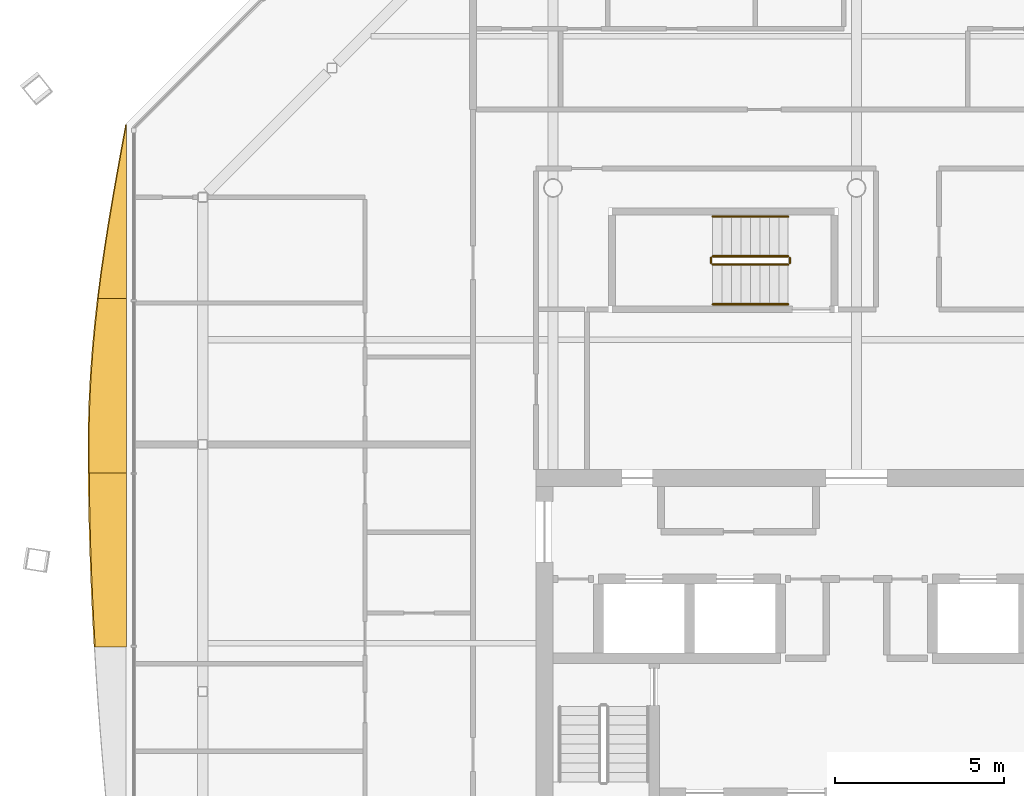
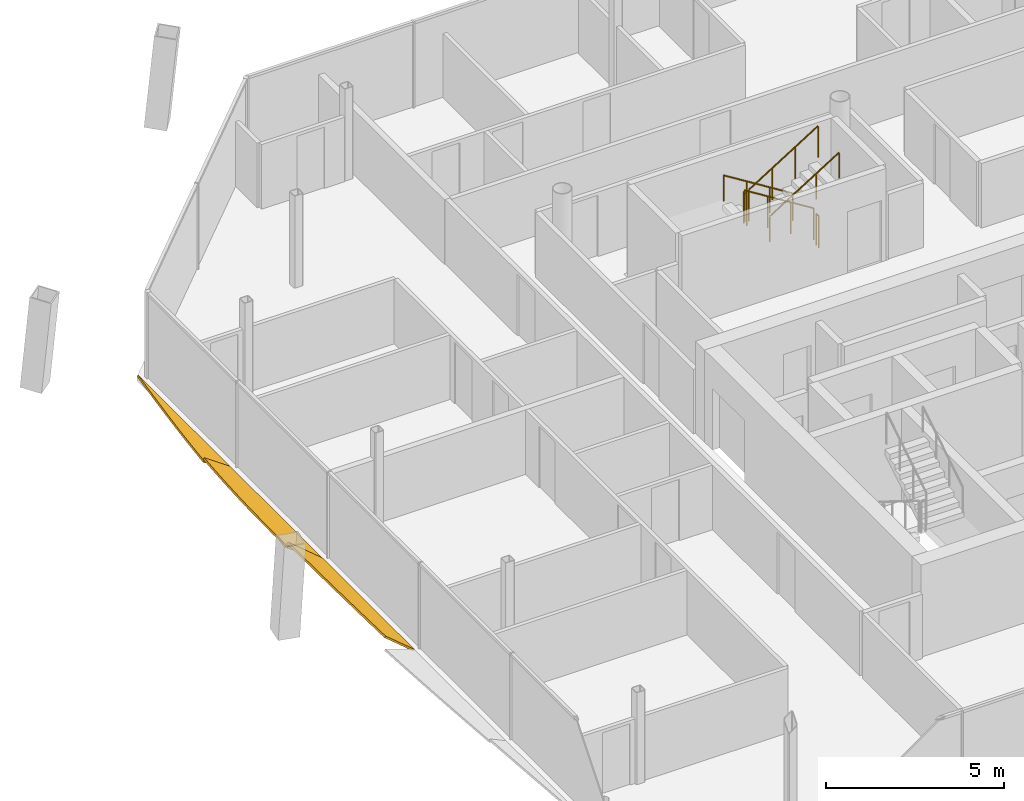
# One storey, part 16 of 17: 6 railings, 3 shading devices.
"""IFC4 building model written with IfcOpenShell, lengths in metres."""

from ifc_helpers import new_model, si_unit, direction, frame, origin, origin_2d, place, context, subcontext, project, spatial, polyline, circle, outline, extrude, material, layer, layer_set, type_object, element, save


model = new_model("IFC4")

# Units and contexts
model_context = context("Model", 3, precision=1e-05, world=origin(), true_north=direction((0.0, 1.0)))
body_context = subcontext(model_context, "Body", "Model", "MODEL_VIEW")
ifc_project = project(units=[si_unit("LENGTHUNIT", "METRE"), si_unit("AREAUNIT", "SQUARE_METRE"), si_unit("VOLUMEUNIT", "CUBIC_METRE"), si_unit("PLANEANGLEUNIT", "RADIAN"), si_unit("MASSUNIT", "GRAM", prefix="KILO")], contexts=[model_context])

# Site, building, storey
site_placement = place(None, origin())
site = spatial("IfcSite", under=ifc_project, at=site_placement, CompositionType="ELEMENT")
building_placement = place(site_placement, origin())
building = spatial("IfcBuilding", under=site, at=building_placement, Name="Tskaro Facet Tower", CompositionType="ELEMENT")
storey_placement = place(building_placement, frame((0.0, 0.0, 229.800048828125)))
storey = spatial("IfcBuildingStorey", under=building, at=storey_placement, Name="L59", CompositionType="ELEMENT", Elevation=229.800048828125)

# Shading devices
ifc_material_1 = material(Name="Bronze anodised aluminium 6063-T6", Category="aluminium")
ifc_layer = layer(ifc_material_1, 0.06005859375, Name="Bronze anodised aluminium 6063-T6")
ifc_layer_set = layer_set([ifc_layer], Name="Bronze anodised aluminium 6063-T6")
shading_device_type = type_object("IfcShadingDeviceType", Name="Bronze sun blade (FN1)", PredefinedType="USERDEFINED", material=ifc_layer_set)
shading_device_1_placement = place(storey_placement, frame((-21.656982421875, 10.883056640625, 0.052001953125), z_axis=(0.499822041707, 4.7625278e-05, 0.866128122367), x_axis=(2.3804164e-05, -0.999999998866, 4.1249593e-05)))
element("IfcShadingDevice", 1, at=shading_device_1_placement, inside=storey, type_object=shading_device_type, Name="Fin blade west 1", ObjectType="FIN", PredefinedType="USERDEFINED", context=body_context, shape_type="SweptSolid", body=[
    extrude(outline(polyline([(0.0, 0.0), (5.16625975976603, 0.0), (5.166259771505608, -0.9686677645753756), (4.428222653498832, -0.8586214389747271), (3.6901855452448746, -0.736008873967931), (2.9521484320157603, -0.6023428656547543), (2.2141113234840506, -0.45971374779369695), (1.476074213440044, -0.31030128433883464), (0.73803710574474, -0.15640726611003208), (0.0, 0.0)])), origin(), (0.0, 0.0, -1.0), 0.06005859375),
])
shading_device_2_placement = place(storey_placement, frame((-21.652587890625, 5.716796875, 0.049072265625), z_axis=(0.573581758182, -1.3092351e-05, 0.819148317772), x_axis=(-7.509533e-06, -0.999999999914, -1.0724577e-05)))
element("IfcShadingDevice", 2, at=shading_device_2_placement, inside=storey, type_object=shading_device_type, Name="Fin blade west 2", ObjectType="FIN", PredefinedType="USERDEFINED", context=body_context, shape_type="SweptSolid", body=[
    extrude(outline(polyline([(0.0, 0.0), (5.166259765182227, 0.0), (5.16625976645804, -1.354532778146098), (4.428222656630595, -1.3587329475875307), (4.33959960976319, -1.3587329475875307), (3.6901855467803992, -1.3510126526871231), (2.952148437153929, -1.3233115765532384), (2.2141113295845645, -1.275829706568162), (1.4760742172658512, -1.2095271559322387), (0.7380371075313179, -1.1252038741746115), (-1.4042136192637055e-10, -1.0240799146512531), (0.0, 0.0)])), origin(), (0.0, 0.0, -1.0), 0.06005859375),
])
shading_device_3_placement = place(storey_placement, frame((-21.6484375, 0.550537109375, 0.0458984375), z_axis=(0.642781152584, 1.2769048e-05, 0.766049861118), x_axis=(8.207703e-06, -0.999999999918, 9.781727e-06)))
element("IfcShadingDevice", 3, at=shading_device_3_placement, inside=storey, type_object=shading_device_type, Name="Fin blade west 3", ObjectType="FIN", PredefinedType="USERDEFINED", context=body_context, shape_type="SweptSolid", body=[
    extrude(outline(polyline([(0.0, 0.0), (5.166015624578844, -8.751570880811033e-21), (5.1660156246173115, -1.2180765932467519), (4.428222655623596, -1.2712796421203656), (3.690185547487422, -1.3178873963944628), (2.952148436441817, -1.3579299509685907), (2.214111328882567, -1.3911901870513121), (1.476074218029603, -1.4175412705498311), (0.7380371098944272, -1.4364221297884783), (-1.5344618877484152e-09, -1.4483938364429232), (0.0, 0.0)])), origin(), (0.0, 0.0, -1.0), 0.06005859375),
])

# Railings
ifc_material_2 = material(Name="Stainless steel", Category="steel")
railing_type_1 = type_object("IfcRailingType", Name="RL-GUARD-1100", PredefinedType="GUARDRAIL", material=ifc_material_2)
railing_1_placement = place(storey_placement, frame((-2.02490234375, 6.97509765625, 0.175048828125)))
element("IfcRailing", 4, at=railing_1_placement, inside=storey, type_object=railing_type_1, Name="L59 ST-3 stair guard 1", PredefinedType="GUARDRAIL", context=body_context, shape_type="SweptSolid", body=[
    extrude(circle(Radius=0.02392578125, at=origin_2d()), frame((0.0, 0.0, 1.076171875), z_axis=(-0.848013881152, 0.0, 0.529974015752), x_axis=(0.0, -1.0, 0.0)), (0.0, 0.0, 1.0), 2.641357421875),
    extrude(circle(Radius=0.02099609375, at=origin_2d()), origin(), (0.0, 0.0, 1.0), 1.052001953125),
    extrude(circle(Radius=0.02099609375, at=origin_2d()), frame((-0.74658203125, 0.0, 0.466552734375)), (0.0, 0.0, 1.0), 1.052001953125),
    extrude(circle(Radius=0.02099609375, at=origin_2d()), frame((-1.493408203125, 0.0, 0.933349609375)), (0.0, 0.0, 1.0), 1.052001953125),
    extrude(circle(Radius=0.02099609375, at=origin_2d()), frame((-2.239990234375, 0.0, 1.39990234375)), (0.0, 0.0, 1.0), 1.052001953125),
])
railing_2_placement = place(storey_placement, frame((-4.31494140625, 6.925048828125, 1.574951171875)))
element("IfcRailing", 5, at=railing_2_placement, inside=storey, type_object=railing_type_1, Name="L59 ST-3 stair guard 2", PredefinedType="GUARDRAIL", context=body_context, shape_type="SweptSolid", body=[
    extrude(circle(Radius=0.02392578125, at=origin_2d()), frame((0.0, 0.0, 1.076171875), z_axis=(0.0, -1.0, 0.0), x_axis=(1.0, 0.0, 0.0)), (0.0, 0.0, 1.0), 0.150146484375),
    extrude(circle(Radius=0.02099609375, at=origin_2d()), origin(), (0.0, 0.0, 1.0), 1.052001953125),
    extrude(circle(Radius=0.02099609375, at=origin_2d()), frame((0.0, -0.150146484375, 0.0)), (0.0, 0.0, 1.0), 1.052001953125),
])
railing_3_placement = place(storey_placement, frame((-4.264892578125, 6.72509765625, 1.75)))
element("IfcRailing", 6, at=railing_3_placement, inside=storey, type_object=railing_type_1, Name="L59 ST-3 stair guard 3", PredefinedType="GUARDRAIL", context=body_context, shape_type="SweptSolid", body=[
    extrude(circle(Radius=0.02392578125, at=origin_2d()), frame((0.0, 0.0, 1.076171875), z_axis=(0.848013881152, 0.0, 0.529974015752), x_axis=(0.0, 1.0, 0.0)), (0.0, 0.0, 1.0), 2.641357421875),
    extrude(circle(Radius=0.02099609375, at=origin_2d()), origin(), (0.0, 0.0, 1.0), 1.052001953125),
    extrude(circle(Radius=0.02099609375, at=origin_2d()), frame((0.74658203125, 0.0, 0.466552734375)), (0.0, 0.0, 1.0), 1.052001953125),
    extrude(circle(Radius=0.02099609375, at=origin_2d()), frame((1.493408203125, 0.0, 0.933349609375)), (0.0, 0.0, 1.0), 1.052001953125),
    extrude(circle(Radius=0.02099609375, at=origin_2d()), frame((2.239990234375, 0.0, 1.39990234375)), (0.0, 0.0, 1.0), 1.052001953125),
])
railing_4_placement = place(storey_placement, frame((-1.97509765625, 6.925048828125, 0.0)))
element("IfcRailing", 7, at=railing_4_placement, inside=storey, type_object=railing_type_1, Name="L59 ST-3 stair guard 4", PredefinedType="GUARDRAIL", context=body_context, shape_type="SweptSolid", body=[
    extrude(circle(Radius=0.02392578125, at=origin_2d()), frame((0.0, 0.0, 1.076171875), z_axis=(0.0, -1.0, 0.0), x_axis=(1.0, 0.0, 0.0)), (0.0, 0.0, 1.0), 0.150146484375),
    extrude(circle(Radius=0.02099609375, at=origin_2d()), origin(), (0.0, 0.0, 1.0), 1.052001953125),
    extrude(circle(Radius=0.02099609375, at=origin_2d()), frame((0.0, -0.150146484375, 0.0)), (0.0, 0.0, 1.0), 1.052001953125),
])
railing_type_2 = type_object("IfcRailingType", Name="RL-HANDRAIL-900", PredefinedType="HANDRAIL", material=ifc_material_2)
railing_5_placement = place(storey_placement, frame((-2.02490234375, 8.14990234375, 0.175048828125)))
element("IfcRailing", 8, at=railing_5_placement, inside=storey, type_object=railing_type_2, Name="L59 ST-3 stair handrail 1", PredefinedType="HANDRAIL", context=body_context, shape_type="SweptSolid", body=[
    extrude(circle(Radius=0.02392578125, at=origin_2d()), frame((0.0, 0.0, 0.8759765625), z_axis=(-0.848013881152, 0.0, 0.529974015752), x_axis=(0.0, -1.0, 0.0)), (0.0, 0.0, 1.0), 2.641357421875),
    extrude(circle(Radius=0.02099609375, at=origin_2d()), origin(), (0.0, 0.0, 1.0), 0.851806640625),
    extrude(circle(Radius=0.02099609375, at=origin_2d()), frame((-0.74658203125, 0.0, 0.466552734375)), (0.0, 0.0, 1.0), 0.851806640625),
    extrude(circle(Radius=0.02099609375, at=origin_2d()), frame((-1.493408203125, 0.0, 0.933349609375)), (0.0, 0.0, 1.0), 0.851806640625),
    extrude(circle(Radius=0.02099609375, at=origin_2d()), frame((-2.239990234375, 0.0, 1.39990234375)), (0.0, 0.0, 1.0), 0.851806640625),
])
railing_6_placement = place(storey_placement, frame((-4.264892578125, 5.550048828125, 1.75)))
element("IfcRailing", 9, at=railing_6_placement, inside=storey, type_object=railing_type_2, Name="L59 ST-3 stair handrail 2", PredefinedType="HANDRAIL", context=body_context, shape_type="SweptSolid", body=[
    extrude(circle(Radius=0.02392578125, at=origin_2d()), frame((0.0, 0.0, 0.8759765625), z_axis=(0.848013881152, 0.0, 0.529974015752), x_axis=(0.0, 1.0, 0.0)), (0.0, 0.0, 1.0), 2.641357421875),
    extrude(circle(Radius=0.02099609375, at=origin_2d()), origin(), (0.0, 0.0, 1.0), 0.851806640625),
    extrude(circle(Radius=0.02099609375, at=origin_2d()), frame((0.74658203125, 0.0, 0.466552734375)), (0.0, 0.0, 1.0), 0.851806640625),
    extrude(circle(Radius=0.02099609375, at=origin_2d()), frame((1.493408203125, 0.0, 0.933349609375)), (0.0, 0.0, 1.0), 0.851806640625),
    extrude(circle(Radius=0.02099609375, at=origin_2d()), frame((2.239990234375, 0.0, 1.39990234375)), (0.0, 0.0, 1.0), 0.851806640625),
])

save(model, "model.ifc")
